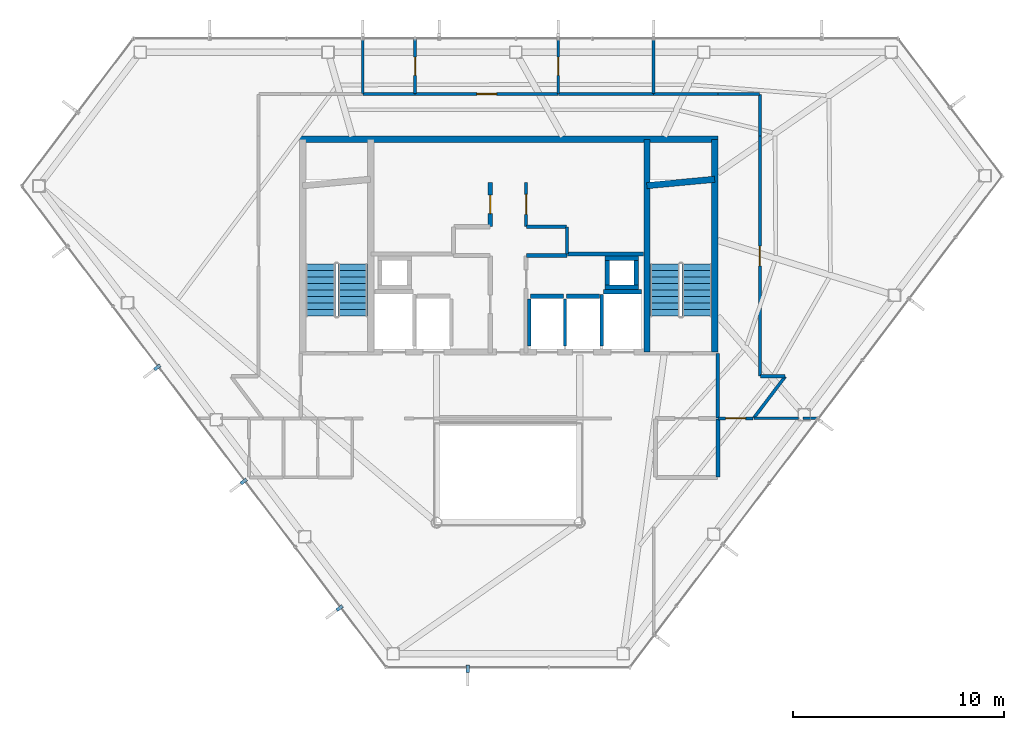
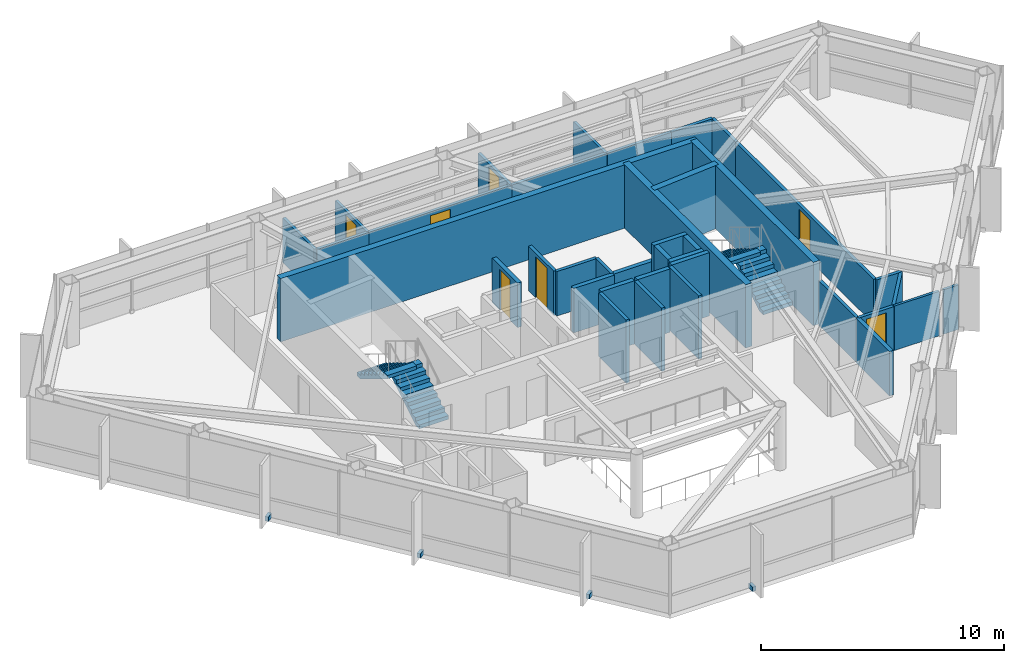
# One storey, part 25 of 27: 38 walls, 7 doors, 4 discrete accessories, 4 stair flights, 7 openings, 2 elements without a shape of their own.
"""IFC4 building model written with IfcOpenShell, lengths in metres."""

from ifc_helpers import new_model, si_unit, direction, frame, frame_2d, origin, origin_2d, place, context, subcontext, project, spatial, polyline, rectangle, outline, extrude, material, layer, layer_set, type_object, element, fill, aggregate, save


model = new_model("IFC4")

# Units and contexts
model_context = context("Model", 3, precision=1e-05, world=origin(), true_north=direction((0.0, 1.0)))
body_context = subcontext(model_context, "Body", "Model", "MODEL_VIEW")
ifc_project = project(units=[si_unit("LENGTHUNIT", "METRE"), si_unit("AREAUNIT", "SQUARE_METRE"), si_unit("VOLUMEUNIT", "CUBIC_METRE"), si_unit("PLANEANGLEUNIT", "RADIAN"), si_unit("MASSUNIT", "GRAM", prefix="KILO")], contexts=[model_context])

# Site, building, storey
site_placement = place(None, origin())
site = spatial("IfcSite", under=ifc_project, at=site_placement, CompositionType="ELEMENT")
building_placement = place(site_placement, origin())
building = spatial("IfcBuilding", under=site, at=building_placement, Name="Zarrinselat Tower", CompositionType="ELEMENT")
storey_placement = place(building_placement, frame((0.0, 0.0, 229.159912109375)))
storey = spatial("IfcBuildingStorey", under=building, at=storey_placement, Name="L57", CompositionType="ELEMENT", Elevation=229.159912109375)

# Wall
ifc_material_1 = material(Name="Concrete C40/50", Category="concrete")
ifc_layer_1 = layer(ifc_material_1, 0.18994140625)
ifc_layer_set_1 = layer_set([ifc_layer_1], Name="Concrete C40/50")
wall_type_1 = type_object("IfcWallType", Name="WAL-PART-EI120", PredefinedType="PARTITIONING", material=ifc_layer_set_1)
wall_1_placement = place(storey_placement, frame((48.35009765625, 27.3701171875, 0.0), z_axis=(0.0, 0.0, 1.0), x_axis=(0.0, 1.0, 0.0)))
element("IfcWall", 1, at=wall_1_placement, inside=storey, type_object=wall_type_1, Name="L57 Partition Wall 22", PredefinedType="PARTITIONING", context=body_context, shape_type="SweptSolid", body=[
    extrude(rectangle(XDim=2.759765625, YDim=0.18994140625, at=frame_2d((1.3798828125, 0.0))), origin(), (0.0, 0.0, 1.0), 2.235107421875),
])

# Wall, opening, door
ifc_material_2 = material(Name="Fire-Rated Gypsum Board Partition", Category="gypsum")
ifc_layer_2 = layer(ifc_material_2, 0.14990234375)
ifc_layer_set_2 = layer_set([ifc_layer_2], Name="Fire-Rated Gypsum Board Partition")
wall_type_2 = type_object("IfcWallType", Name="WAL-PART-EI60", PredefinedType="PARTITIONING", material=ifc_layer_set_2)
wall_2_placement = place(storey_placement, frame((39.25, 39.27001953125, 0.0), z_axis=(0.0, 0.0, 1.0), x_axis=(0.0, 1.0, 0.0)))
wall_2 = element("IfcWall", 2, at=wall_2_placement, inside=storey, type_object=wall_type_2, Name="L57 Partition Wall 8", PredefinedType="PARTITIONING", context=body_context, shape_type="SweptSolid", body=[
    extrude(rectangle(XDim=2.080078125, YDim=0.14990234375, at=frame_2d((1.0400390625, 0.0))), origin(), (0.0, 0.0, 1.0), 2.235107421875),
])
opening_1_placement = place(wall_2_placement, frame((0.570068359375, 0.0, 0.0)))
opening_1 = element("IfcOpeningElement", 3, at=opening_1_placement, cuts=wall_2, Name="Opening ID-04", PredefinedType="OPENING", context=body_context, shape_type="SweptSolid", body=[
    extrude(rectangle(XDim=0.93994140625, YDim=2.050048828125, at=frame_2d((0.469970703125, 1.02490234375))), frame((0.0, 0.0849609375, 0.0), z_axis=(0.0, -1.0, 0.0), x_axis=(1.0, 0.0, 0.0)), (0.0, 0.0, 1.0), 0.169921875),
])
ifc_material_3 = material(Name="Fire-Rated Gypsum Board Partition")
door_type_1 = type_object("IfcDoorType", Name="DR-INT-FD30-ENT", OperationType="NOTDEFINED", PredefinedType="DOOR", material=ifc_material_3)
door_1_placement = place(opening_1_placement, origin())
door_1 = element("IfcDoor", 4, at=door_1_placement, inside=storey, type_object=door_type_1, Name="L57 Interior Door P8", OperationType="SINGLE_SWING_LEFT", OverallHeight=2.050048828125, OverallWidth=0.93994140625, PredefinedType="DOOR", context=body_context, shape_type="SweptSolid", body=[
    extrude(rectangle(XDim=0.93994140625, YDim=2.050048828125, at=frame_2d((0.469970703125, 1.02490234375))), frame((0.0, 0.02490234375, 0.0), z_axis=(0.0, -1.0, 0.0), x_axis=(1.0, 0.0, 0.0)), (0.0, 0.0, 1.0), 0.050048828125),
])
fill(opening_1, door_1)

# Walls
wall_3_placement = place(storey_placement, frame((39.27001953125, 39.25, 0.0), z_axis=(0.0, 0.0, 1.0), x_axis=(1.0, 0.0, 0.0)))
element("IfcWall", 5, at=wall_3_placement, inside=storey, type_object=wall_type_2, Name="L57 Partition Wall 9", PredefinedType="PARTITIONING", context=body_context, shape_type="SweptSolid", body=[
    extrude(rectangle(XDim=1.909912109375, YDim=0.14990234375, at=frame_2d((0.955078125, 0.0))), origin(), (0.0, 0.0, 1.0), 2.235107421875),
])
wall_4_placement = place(storey_placement, frame((41.199951171875, 37.955078125, 0.0), z_axis=(0.0, 0.0, 1.0), x_axis=(0.0, 1.0, 0.0)))
element("IfcWall", 6, at=wall_4_placement, inside=storey, type_object=wall_type_2, Name="L57 Partition Wall 10", PredefinedType="PARTITIONING", context=body_context, shape_type="SweptSolid", body=[
    extrude(rectangle(XDim=1.27490234375, YDim=0.14990234375, at=frame_2d((0.637451171875, 0.0))), origin(), (0.0, 0.0, 1.0), 2.235107421875),
])
wall_5_placement = place(storey_placement, frame((48.35009765625, 30.169921875, 0.0), z_axis=(0.0, 0.0, 1.0), x_axis=(0.0, 1.0, 0.0)))
element("IfcWall", 7, at=wall_5_placement, inside=storey, type_object=wall_type_2, Name="L57 Partition Wall 15", PredefinedType="PARTITIONING", context=body_context, shape_type="SweptSolid", body=[
    extrude(rectangle(XDim=3.06005859375, YDim=0.14990234375, at=frame_2d((1.530029296875, 0.0))), origin(), (0.0, 0.0, 1.0), 2.235107421875),
])

# Wall, opening, door
wall_6_placement = place(storey_placement, frame((48.3701171875, 30.14990234375, 0.0), z_axis=(0.0, 0.0, 1.0), x_axis=(1.0, 0.0, 0.0)))
wall_6 = element("IfcWall", 8, at=wall_6_placement, inside=storey, type_object=wall_type_2, Name="L57 Partition Wall 25", PredefinedType="PARTITIONING", context=body_context, shape_type="SweptSolid", body=[
    extrude(rectangle(XDim=1.6552734375, YDim=0.14990234375, at=frame_2d((0.82763671875, 0.0))), origin(), (0.0, 0.0, 1.0), 2.235107421875),
])
opening_2_placement = place(wall_6_placement, frame((0.357666015625, 0.0, 0.0)))
opening_2 = element("IfcOpeningElement", 9, at=opening_2_placement, cuts=wall_6, Name="Opening ID-04", PredefinedType="OPENING", context=body_context, shape_type="SweptSolid", body=[
    extrude(rectangle(XDim=0.93994140625, YDim=2.050048828125, at=frame_2d((0.469970703125, 1.02490234375))), frame((0.0, 0.0849609375, 0.0), z_axis=(0.0, -1.0, 0.0), x_axis=(1.0, 0.0, 0.0)), (0.0, 0.0, 1.0), 0.169921875),
])
door_2_placement = place(opening_2_placement, origin())
door_2 = element("IfcDoor", 10, at=door_2_placement, inside=storey, type_object=door_type_1, Name="L57 Interior Door P25", OperationType="SINGLE_SWING_RIGHT", OverallHeight=2.050048828125, OverallWidth=0.93994140625, PredefinedType="DOOR", context=body_context, shape_type="SweptSolid", body=[
    extrude(rectangle(XDim=0.93994140625, YDim=2.050048828125, at=frame_2d((0.469970703125, 1.02490234375))), frame((0.0, 0.02490234375, 0.0), z_axis=(0.0, -1.0, 0.0), x_axis=(1.0, 0.0, 0.0)), (0.0, 0.0, 1.0), 0.050048828125),
])
fill(opening_2, door_2)

# Walls
wall_7_placement = place(storey_placement, frame((45.304931640625, 45.550048828125, 0.0), z_axis=(0.0, 0.0, 1.0), x_axis=(1.0, 0.0, 0.0)))
element("IfcWall", 11, at=wall_7_placement, inside=storey, type_object=wall_type_2, Name="L57 Partition Wall 32", PredefinedType="PARTITIONING", context=body_context, shape_type="SweptSolid", body=[
    extrude(rectangle(XDim=3.045166015625, YDim=0.14990234375, at=frame_2d((1.5224609375, 0.0))), origin(), (0.0, 0.0, 1.0), 2.235107421875),
])
for number, where, z_axis, x_axis, name in (
    (12, (48.35009765625, 45.550048828125, 0.0), (0.0, 0.0, 1.0), (1.0, 0.0, 0.0), "L57 Partition Wall 33"),
    (13, (50.35009765625, 43.550048828125, 0.0), (0.0, 0.0, 1.0), (0.0, 1.0, 0.0), "L57 Partition Wall 34"),
):
    element("IfcWall", number, at=place(storey_placement, frame(where, z_axis=z_axis, x_axis=x_axis)), inside=storey, type_object=wall_type_2, Name=name, PredefinedType="PARTITIONING", context=body_context, shape_type="SweptSolid", body=[
        extrude(rectangle(XDim=1.97998046875, YDim=0.14990234375, at=frame_2d((0.989990234375, 0.0))), origin(), (0.0, 0.0, 1.0), 2.235107421875),
    ])

# Wall, opening, door
wall_8_placement = place(storey_placement, frame((50.35009765625, 32.169921875, 0.0), z_axis=(0.0, 0.0, 1.0), x_axis=(0.0, 1.0, 0.0)))
wall_8 = element("IfcWall", 14, at=wall_8_placement, inside=storey, type_object=wall_type_2, Name="L57 Partition Wall 35", PredefinedType="PARTITIONING", context=body_context, shape_type="SweptSolid", body=[
    extrude(rectangle(XDim=11.380126953125, YDim=0.14990234375, at=frame_2d((5.68994140625, 0.0))), origin(), (0.0, 0.0, 1.0), 2.235107421875),
])
opening_3_placement = place(wall_8_placement, frame((5.219970703125, 0.0, 0.0)))
opening_3 = element("IfcOpeningElement", 15, at=opening_3_placement, cuts=wall_8, Name="Opening ID-04", PredefinedType="OPENING", context=body_context, shape_type="SweptSolid", body=[
    extrude(rectangle(XDim=0.93994140625, YDim=2.050048828125, at=frame_2d((0.469970703125, 1.02490234375))), frame((0.0, 0.0849609375, 0.0), z_axis=(0.0, -1.0, 0.0), x_axis=(1.0, 0.0, 0.0)), (0.0, 0.0, 1.0), 0.169921875),
])
door_3_placement = place(opening_3_placement, origin())
door_3 = element("IfcDoor", 16, at=door_3_placement, inside=storey, type_object=door_type_1, Name="L57 Interior Door P35", OperationType="SINGLE_SWING_RIGHT", OverallHeight=2.050048828125, OverallWidth=0.93994140625, PredefinedType="DOOR", context=body_context, shape_type="SweptSolid", body=[
    extrude(rectangle(XDim=0.93994140625, YDim=2.050048828125, at=frame_2d((0.469970703125, 1.02490234375))), frame((0.0, 0.02490234375, 0.0), z_axis=(0.0, -1.0, 0.0), x_axis=(1.0, 0.0, 0.0)), (0.0, 0.0, 1.0), 0.050048828125),
])
fill(opening_3, door_3)

# Walls
wall_9_placement = place(storey_placement, frame((50.3701171875, 32.14990234375, 0.0), z_axis=(0.0, 0.0, 1.0), x_axis=(1.0, 0.0, 0.0)))
element("IfcWall", 17, at=wall_9_placement, inside=storey, type_object=wall_type_2, Name="L57 Partition Wall 36", PredefinedType="PARTITIONING", context=body_context, shape_type="SweptSolid", body=[
    extrude(rectangle(XDim=1.17041015625, YDim=0.14990234375, at=frame_2d((0.585205078125, 0.0))), origin(), (0.0, 0.0, 1.0), 2.235107421875),
])
wall_10_placement = place(storey_placement, frame((50.057373046875, 30.166015625, 0.0), z_axis=(0.0, 0.0, 1.0), x_axis=(0.603869110647, 0.797083494502, 0.0)))
element("IfcWall", 18, at=wall_10_placement, inside=storey, type_object=wall_type_2, Name="L57 Partition Wall 37", PredefinedType="PARTITIONING", context=body_context, shape_type="SweptSolid", body=[
    extrude(rectangle(XDim=2.468994140625, YDim=0.14990234375, at=frame_2d((1.234375, 0.0))), origin(), (0.0, 0.0, 1.0), 2.235107421875),
])

# Wall, opening, door
wall_11_placement = place(storey_placement, frame((33.989013671875, 45.550048828125, 0.0), z_axis=(0.0, 0.0, 1.0), x_axis=(1.0, 0.0, 0.0)))
wall_11 = element("IfcWall", 19, at=wall_11_placement, inside=storey, type_object=wall_type_2, Name="L57 Partition Wall 38", PredefinedType="PARTITIONING", context=body_context, shape_type="SweptSolid", body=[
    extrude(rectangle(XDim=6.779541015625, YDim=0.14990234375, at=frame_2d((3.3896484375, 0.0))), origin(), (0.0, 0.0, 1.0), 2.235107421875),
])
opening_4_placement = place(wall_11_placement, frame((2.919921875, 0.0, 0.0)))
opening_4 = element("IfcOpeningElement", 20, at=opening_4_placement, cuts=wall_11, Name="Opening ID-04", PredefinedType="OPENING", context=body_context, shape_type="SweptSolid", body=[
    extrude(rectangle(XDim=0.93994140625, YDim=2.050048828125, at=frame_2d((0.469970703125, 1.02490234375))), frame((0.0, 0.0849609375, 0.0), z_axis=(0.0, -1.0, 0.0), x_axis=(1.0, 0.0, 0.0)), (0.0, 0.0, 1.0), 0.169921875),
])
door_4_placement = place(opening_4_placement, origin())
door_4 = element("IfcDoor", 21, at=door_4_placement, inside=storey, type_object=door_type_1, Name="L57 Interior Door P38", OperationType="SINGLE_SWING_LEFT", OverallHeight=2.050048828125, OverallWidth=0.93994140625, PredefinedType="DOOR", context=body_context, shape_type="SweptSolid", body=[
    extrude(rectangle(XDim=0.93994140625, YDim=2.050048828125, at=frame_2d((0.469970703125, 1.02490234375))), frame((0.0, 0.02490234375, 0.0), z_axis=(0.0, -1.0, 0.0), x_axis=(1.0, 0.0, 0.0)), (0.0, 0.0, 1.0), 0.050048828125),
])
fill(opening_4, door_4)

# Walls
wall_12_placement = place(storey_placement, frame((40.778564453125, 45.550048828125, 0.0), z_axis=(0.0, 0.0, 1.0), x_axis=(1.0, 0.0, 0.0)))
element("IfcWall", 22, at=wall_12_placement, inside=storey, type_object=wall_type_2, Name="L57 Partition Wall 39", PredefinedType="PARTITIONING", context=body_context, shape_type="SweptSolid", body=[
    extrude(rectangle(XDim=4.516357421875, YDim=0.14990234375, at=frame_2d((2.25830078125, 0.0))), origin(), (0.0, 0.0, 1.0), 2.235107421875),
])
wall_13_placement = place(storey_placement, frame((31.5048828125, 45.550048828125, 0.0), z_axis=(0.0, 0.0, 1.0), x_axis=(1.0, 0.0, 0.0)))
element("IfcWall", 23, at=wall_13_placement, inside=storey, type_object=wall_type_2, Name="L57 Partition Wall 40", PredefinedType="PARTITIONING", context=body_context, shape_type="SweptSolid", body=[
    extrude(rectangle(XDim=2.47412109375, YDim=0.14990234375, at=frame_2d((1.237060546875, 0.0))), origin(), (0.0, 0.0, 1.0), 2.235107421875),
])

# Wall, opening, door
ifc_material_4 = material(Name="Concrete C40/50", Category="concrete")
ifc_layer_3 = layer(ifc_material_4, 0.199951171875)
ifc_layer_set_3 = layer_set([ifc_layer_3], Name="Concrete C40/50")
wall_type_3 = type_object("IfcWallType", Name="WAL-PART-PLANT", PredefinedType="PARTITIONING", material=ifc_layer_set_3)
wall_14_placement = place(storey_placement, frame((37.550048828125, 39.27001953125, 0.0), z_axis=(0.0, 0.0, 1.0), x_axis=(0.0, 1.0, 0.0)))
wall_14 = element("IfcWall", 24, at=wall_14_placement, inside=storey, type_object=wall_type_3, Name="L57 Partition Wall 5", PredefinedType="PARTITIONING", context=body_context, shape_type="SweptSolid", body=[
    extrude(rectangle(XDim=2.080078125, YDim=0.199951171875, at=frame_2d((1.0400390625, 0.0))), origin(), (0.0, 0.0, 1.0), 2.235107421875),
])
opening_5_placement = place(wall_14_placement, frame((0.60009765625, 0.0, 0.0)))
opening_5 = element("IfcOpeningElement", 25, at=opening_5_placement, cuts=wall_14, Name="Opening ID-03", PredefinedType="OPENING", context=body_context, shape_type="SweptSolid", body=[
    extrude(rectangle(XDim=0.8798828125, YDim=2.050048828125, at=frame_2d((0.43994140625, 1.02490234375))), frame((0.0, 0.10986328125, 0.0), z_axis=(0.0, -1.0, 0.0), x_axis=(1.0, 0.0, 0.0)), (0.0, 0.0, 1.0), 0.219970703125),
])
ifc_material_5 = material(Name="Steel S355J2", Category="steel")
door_type_2 = type_object("IfcDoorType", Name="DR-INT-FD60-S", OperationType="NOTDEFINED", PredefinedType="DOOR", material=ifc_material_5)
door_5_placement = place(opening_5_placement, origin())
door_5 = element("IfcDoor", 26, at=door_5_placement, inside=storey, type_object=door_type_2, Name="L57 Interior Door P5", OperationType="SINGLE_SWING_LEFT", OverallHeight=2.050048828125, OverallWidth=0.8798828125, PredefinedType="DOOR", context=body_context, shape_type="SweptSolid", body=[
    extrude(rectangle(XDim=0.8798828125, YDim=2.050048828125, at=frame_2d((0.43994140625, 1.02490234375))), frame((0.0, 0.02490234375, 0.0), z_axis=(0.0, -1.0, 0.0), x_axis=(1.0, 0.0, 0.0)), (0.0, 0.0, 1.0), 0.050048828125),
])
fill(opening_5, door_5)

# Walls
wall_15_placement = place(storey_placement, frame((39.27001953125, 37.8798828125, 0.0), z_axis=(0.0, 0.0, 1.0), x_axis=(1.0, 0.0, 0.0)))
element("IfcWall", 27, at=wall_15_placement, inside=storey, type_object=wall_type_3, Name="L57 Partition Wall 6", PredefinedType="PARTITIONING", context=body_context, shape_type="SweptSolid", body=[
    extrude(rectangle(XDim=1.929931640625, YDim=0.199951171875, at=frame_2d((0.96484375, 0.0))), origin(), (0.0, 0.0, 1.0), 2.235107421875),
])
wall_16_placement = place(storey_placement, frame((41.219970703125, 37.949951171875, 0.0), z_axis=(0.0, 0.0, 1.0), x_axis=(1.0, 0.0, 0.0)))
element("IfcWall", 28, at=wall_16_placement, inside=storey, type_object=wall_type_3, Name="L57 Partition Wall 12", PredefinedType="PARTITIONING", context=body_context, shape_type="SweptSolid", body=[
    extrude(rectangle(XDim=3.614990234375, YDim=0.199951171875, at=frame_2d((1.8076171875, 0.0))), origin(), (0.0, 0.0, 1.0), 2.235107421875),
])
ifc_material_6 = material(Name="Fire-Rated Gypsum Board Partition", Category="gypsum")
ifc_layer_4 = layer(ifc_material_6, 0.1201171875)
ifc_layer_set_4 = layer_set([ifc_layer_4], Name="Fire-Rated Gypsum Board Partition")
wall_type_4 = type_object("IfcWallType", Name="WAL-PART-STD", PredefinedType="PARTITIONING", material=ifc_layer_set_4)
wall_17_placement = place(storey_placement, frame((50.065185546875, 30.14990234375, 0.0), z_axis=(0.0, 0.0, 1.0), x_axis=(1.0, 0.0, 0.0)))
element("IfcWall", 29, at=wall_17_placement, inside=storey, type_object=wall_type_4, Name="L57 Partition Wall 52", PredefinedType="PARTITIONING", context=body_context, shape_type="SweptSolid", body=[
    extrude(rectangle(XDim=2.13134765625, YDim=0.1201171875, at=frame_2d((1.065673828125, 0.0))), origin(), (0.0, 0.0, 1.0), 2.235107421875),
])
wall_18_placement = place(storey_placement, frame((52.403564453125, 30.14990234375, 0.0), z_axis=(0.0, 0.0, 1.0), x_axis=(1.0, 0.0, 0.0)))
element("IfcWall", 30, at=wall_18_placement, inside=storey, type_object=wall_type_4, Name="L57 Partition Wall 53", PredefinedType="PARTITIONING", context=body_context, shape_type="SweptSolid", body=[
    extrude(rectangle(XDim=0.712890625, YDim=0.1201171875, at=frame_2d((0.3564453125, 0.0))), origin(), (0.0, 0.0, 1.0), 2.235107421875),
])
ifc_material_7 = material(Name="Fire-Rated Gypsum Board Partition", Category="gypsum")
ifc_layer_5 = layer(ifc_material_7, 0.135009765625)
ifc_layer_set_5 = layer_set([ifc_layer_5], Name="Fire-Rated Gypsum Board Partition")
wall_type_5 = type_object("IfcWallType", Name="WAL-PART-WET", PredefinedType="PARTITIONING", material=ifc_layer_set_5)
for number, where, z_axis, x_axis, name in (
    (31, (31.5, 45.570068359375, 0.0), (0.0, 0.0, 1.0), (0.0, 1.0, 0.0), "L57 Partition Wall 54"),
    (32, (45.300048828125, 45.570068359375, 0.0), (0.0, 0.0, 1.0), (0.0, 1.0, 0.0), "L57 Partition Wall 55"),
):
    element("IfcWall", number, at=place(storey_placement, frame(where, z_axis=z_axis, x_axis=x_axis)), inside=storey, type_object=wall_type_5, Name=name, PredefinedType="PARTITIONING", context=body_context, shape_type="SweptSolid", body=[
        extrude(rectangle(XDim=2.5927734375, YDim=0.135009765625, at=frame_2d((1.29638671875, 0.0))), origin(), (0.0, 0.0, 1.0), 2.235107421875),
    ])

# Wall, opening, door
wall_19_placement = place(storey_placement, frame((40.773681640625, 45.570068359375, 0.0), z_axis=(0.0, 0.0, 1.0), x_axis=(0.0, 1.0, 0.0)))
wall_19 = element("IfcWall", 33, at=wall_19_placement, inside=storey, type_object=wall_type_5, Name="L57 Partition Wall 56", PredefinedType="PARTITIONING", context=body_context, shape_type="SweptSolid", body=[
    extrude(rectangle(XDim=2.5927734375, YDim=0.135009765625, at=frame_2d((1.29638671875, 0.0))), origin(), (0.0, 0.0, 1.0), 2.235107421875),
])
opening_6_placement = place(wall_19_placement, frame((0.866455078125, 0.0, 0.0)))
opening_6 = element("IfcOpeningElement", 34, at=opening_6_placement, cuts=wall_19, Name="Opening ID-06", PredefinedType="OPENING", context=body_context, shape_type="SweptSolid", body=[
    extrude(rectangle(XDim=0.860107421875, YDim=2.050048828125, at=frame_2d((0.43017578125, 1.02490234375))), frame((0.0, 0.077392578125, 0.0), z_axis=(0.0, -1.0, 0.0), x_axis=(1.0, 0.0, 0.0)), (0.0, 0.0, 1.0), 0.155029296875),
])
ifc_material_8 = material(Name="Extruded Aluminium Alloy EN AW-6063 T6", Category="aluminium")
door_type_3 = type_object("IfcDoorType", Name="DR-INT-WET-900", OperationType="NOTDEFINED", PredefinedType="DOOR", material=ifc_material_8)
door_6_placement = place(opening_6_placement, origin())
door_6 = element("IfcDoor", 35, at=door_6_placement, inside=storey, type_object=door_type_3, Name="L57 Interior Door P56", OperationType="SINGLE_SWING_RIGHT", OverallHeight=2.050048828125, OverallWidth=0.860107421875, PredefinedType="DOOR", context=body_context, shape_type="SweptSolid", body=[
    extrude(rectangle(XDim=0.860107421875, YDim=2.050048828125, at=frame_2d((0.43017578125, 1.02490234375))), frame((0.0, 0.02490234375, 0.0), z_axis=(0.0, -1.0, 0.0), x_axis=(1.0, 0.0, 0.0)), (0.0, 0.0, 1.0), 0.050048828125),
])
fill(opening_6, door_6)

wall_20_placement = place(storey_placement, frame((33.98388671875, 45.570068359375, 0.0), z_axis=(0.0, 0.0, 1.0), x_axis=(0.0, 1.0, 0.0)))
wall_20 = element("IfcWall", 36, at=wall_20_placement, inside=storey, type_object=wall_type_5, Name="L57 Partition Wall 57", PredefinedType="PARTITIONING", context=body_context, shape_type="SweptSolid", body=[
    extrude(rectangle(XDim=2.5927734375, YDim=0.135009765625, at=frame_2d((1.29638671875, 0.0))), origin(), (0.0, 0.0, 1.0), 2.235107421875),
])
opening_7_placement = place(wall_20_placement, frame((0.866455078125, 0.0, 0.0)))
opening_7 = element("IfcOpeningElement", 37, at=opening_7_placement, cuts=wall_20, Name="Opening ID-06", PredefinedType="OPENING", context=body_context, shape_type="SweptSolid", body=[
    extrude(rectangle(XDim=0.860107421875, YDim=2.050048828125, at=frame_2d((0.43017578125, 1.02490234375))), frame((0.0, 0.077392578125, 0.0), z_axis=(0.0, -1.0, 0.0), x_axis=(1.0, 0.0, 0.0)), (0.0, 0.0, 1.0), 0.155029296875),
])
door_7_placement = place(opening_7_placement, origin())
door_7 = element("IfcDoor", 38, at=door_7_placement, inside=storey, type_object=door_type_3, Name="L57 Interior Door P57", OperationType="SINGLE_SWING_LEFT", OverallHeight=2.050048828125, OverallWidth=0.860107421875, PredefinedType="DOOR", context=body_context, shape_type="SweptSolid", body=[
    extrude(rectangle(XDim=0.860107421875, YDim=2.050048828125, at=frame_2d((0.43017578125, 1.02490234375))), frame((0.0, 0.02490234375, 0.0), z_axis=(0.0, -1.0, 0.0), x_axis=(1.0, 0.0, 0.0)), (0.0, 0.0, 1.0), 0.050048828125),
])
fill(opening_7, door_7)

# Walls
ifc_material_9 = material(Name="Concrete C40/50", Category="concrete")
ifc_layer_6 = layer(ifc_material_9, 0.2099609375)
ifc_layer_set_6 = layer_set([ifc_layer_6], Name="Concrete C40/50")
wall_type_6 = type_object("IfcWallType", Name="WAL-SHAFT-210", PredefinedType="SOLIDWALL", material=ifc_layer_set_6)
wall_21_placement = place(storey_placement, frame((42.919921875, 36.155029296875, 0.0), z_axis=(0.0, 0.0, 1.0), x_axis=(1.0, 0.0, 0.0)))
element("IfcWall", 39, at=wall_21_placement, inside=storey, type_object=wall_type_6, Name="L57 Lift FFL2 North Shaft Wall", PredefinedType="SOLIDWALL", context=body_context, shape_type="SweptSolid", body=[
    extrude(rectangle(XDim=1.800048828125, YDim=0.2099609375, at=frame_2d((0.89990234375, 0.0))), origin(), (0.0, 0.0, 1.0), 3.18017578125),
])
wall_22_placement = place(storey_placement, frame((42.85009765625, 33.580078125, 0.0), z_axis=(0.0, 0.0, 1.0), x_axis=(0.0, 1.0, 0.0)))
element("IfcWall", 40, at=wall_22_placement, inside=storey, type_object=wall_type_6, Name="L57 Lift FFL2 W Shaft Wall", PredefinedType="SOLIDWALL", context=body_context, shape_type="SweptSolid", body=[
    extrude(rectangle(XDim=2.449951171875, YDim=0.159912109375, at=frame_2d((1.22509765625, 0.0))), origin(), (0.0, 0.0, 1.0), 3.18017578125),
])
wall_23_placement = place(storey_placement, frame((39.469970703125, 35.955078125, 0.0), z_axis=(0.0, 0.0, 1.0), x_axis=(1.0, 0.0, 0.0)))
element("IfcWall", 41, at=wall_23_placement, inside=storey, type_object=wall_type_6, Name="L57 Lift PL8 North Shaft Wall", PredefinedType="SOLIDWALL", context=body_context, shape_type="SweptSolid", body=[
    extrude(rectangle(XDim=1.56005859375, YDim=0.2099609375, at=frame_2d((0.780029296875, 0.0))), origin(), (0.0, 0.0, 1.0), 3.18017578125),
])
for number, where, z_axis, x_axis, name in (
    (42, (39.39990234375, 33.580078125, 0.0), (0.0, 0.0, 1.0), (0.0, 1.0, 0.0), "L57 Lift PL8 W Shaft Wall"),
    (43, (41.10009765625, 33.580078125, 0.0), (0.0, 0.0, 1.0), (0.0, 1.0, 0.0), "L57 Lift PL8 E Shaft Wall"),
):
    element("IfcWall", number, at=place(storey_placement, frame(where, z_axis=z_axis, x_axis=x_axis)), inside=storey, type_object=wall_type_6, Name=name, PredefinedType="SOLIDWALL", context=body_context, shape_type="SweptSolid", body=[
        extrude(rectangle(XDim=2.25, YDim=0.159912109375, at=frame_2d((1.125, 0.0))), origin(), (0.0, 0.0, 1.0), 3.18017578125),
    ])
wall_24_placement = place(storey_placement, frame((41.169921875, 35.955078125, 0.0), z_axis=(0.0, 0.0, 1.0), x_axis=(1.0, 0.0, 0.0)))
element("IfcWall", 44, at=wall_24_placement, inside=storey, type_object=wall_type_6, Name="L57 Lift PL9 North Shaft Wall", PredefinedType="SOLIDWALL", context=body_context, shape_type="SweptSolid", body=[
    extrude(rectangle(XDim=1.56005859375, YDim=0.2099609375, at=frame_2d((0.780029296875, 0.0))), origin(), (0.0, 0.0, 1.0), 3.18017578125),
])
for number, where, z_axis, x_axis, name in (
    (45, (42.989990234375, 36.375, 0.0), (0.0, 0.0, 1.0), (1.0, 0.0, 0.0), "L57 Core Riser RSR-E S Shaft Wall"),
    (46, (42.989990234375, 37.7451171875, 0.0), (0.0, 0.0, 1.0), (1.0, 0.0, 0.0), "L57 Core Riser RSR-E N Shaft Wall"),
):
    element("IfcWall", number, at=place(storey_placement, frame(where, z_axis=z_axis, x_axis=x_axis)), inside=storey, type_object=wall_type_6, Name=name, PredefinedType="SOLIDWALL", context=body_context, shape_type="SweptSolid", body=[
        extrude(rectangle(XDim=1.60009765625, YDim=0.2099609375, at=frame_2d((0.800048828125, 0.0))), origin(), (0.0, 0.0, 1.0), 3.18017578125),
    ])
for number, where, z_axis, x_axis, name in (
    (47, (43.094970703125, 36.485107421875, 0.0), (0.0, 0.0, 1.0), (0.0, 1.0, 0.0), "L57 Core Riser RSR-E W Shaft Wall"),
    (48, (44.485107421875, 36.485107421875, 0.0), (0.0, 0.0, 1.0), (0.0, 1.0, 0.0), "L57 Core Riser RSR-E E Shaft Wall"),
):
    element("IfcWall", number, at=place(storey_placement, frame(where, z_axis=z_axis, x_axis=x_axis)), inside=storey, type_object=wall_type_6, Name=name, PredefinedType="SOLIDWALL", context=body_context, shape_type="SweptSolid", body=[
        extrude(rectangle(XDim=1.14990234375, YDim=0.2099609375, at=frame_2d((0.574951171875, 0.0))), origin(), (0.0, 0.0, 1.0), 3.18017578125),
    ])
ifc_material_10 = material(Name="Concrete C40/50", Category="concrete")
ifc_layer_7 = layer(ifc_material_10, 0.300048828125)
ifc_layer_set_7 = layer_set([ifc_layer_7], Name="Concrete C40/50")
wall_type_7 = type_object("IfcWallType", Name="WAL-SHEAR-300", PredefinedType="SHEAR", material=ifc_layer_set_7)
wall_25_placement = place(storey_placement, frame((28.5, 43.39990234375, 0.0), z_axis=(0.0, 0.0, 1.0), x_axis=(1.0, 0.0, 0.0)))
element("IfcWall", 49, at=wall_25_placement, inside=storey, type_object=wall_type_7, Name="L57 North Core Shear Wall", PredefinedType="SHEAR", context=body_context, shape_type="SweptSolid", body=[
    extrude(rectangle(XDim=19.860107421875, YDim=0.300048828125, at=frame_2d((9.93017578125, 0.0))), origin(), (0.0, 0.0, 1.0), 3.18017578125),
])
for number, where, z_axis, x_axis, name in (
    (50, (44.989990234375, 33.300048828125, 0.0), (0.0, 0.0, 1.0), (0.0, 1.0, 0.0), "L57 Core Shear Wall ST2W"),
    (51, (48.2099609375, 33.300048828125, 0.0), (0.0, 0.0, 1.0), (0.0, 1.0, 0.0), "L57 Core Shear Wall E"),
):
    element("IfcWall", number, at=place(storey_placement, frame(where, z_axis=z_axis, x_axis=x_axis)), inside=storey, type_object=wall_type_7, Name=name, PredefinedType="SHEAR", context=body_context, shape_type="SweptSolid", body=[
        extrude(rectangle(XDim=10.099853515625, YDim=0.300048828125, at=frame_2d((5.0498046875, 0.0))), origin(), (0.0, 0.0, 1.0), 3.18017578125),
    ])
wall_26_placement = place(storey_placement, frame((44.97998046875, 41.199951171875, 0.0), z_axis=(0.0, 0.0, 1.0), x_axis=(0.995686468965, 0.09278176286, 0.0)))
element("IfcWall", 52, at=wall_26_placement, inside=storey, type_object=wall_type_7, Name="L57 Stair 2 North Shaft Wall", PredefinedType="SHEAR", context=body_context, shape_type="SweptSolid", body=[
    extrude(rectangle(XDim=3.23388671875, YDim=0.300048828125, at=frame_2d((1.616943359375, 0.0))), origin(), (0.0, 0.0, 1.0), 3.18017578125),
])

# Stair, stair flights
ifc_material_11 = material(Name="Concrete C40/50", Category="concrete")
stair_type = type_object("IfcStairType", Name="STR-CORE-155", PredefinedType="HALF_TURN_STAIR", material=ifc_material_11)
stair_1_placement = place(storey_placement, origin())
stair_1 = element("IfcStair", 53, at=stair_1_placement, inside=storey, type_object=stair_type, Name="L57 Core Exit Stair 1", PredefinedType="HALF_TURN_STAIR")
ifc_material_12 = material(Name="Concrete C40/50", Category="concrete")
stair_flight_type = type_object("IfcStairFlightType", Name="STR-FLT-155", PredefinedType="STRAIGHT", material=ifc_material_12)
stair_flight_1_placement = place(storey_placement, frame((31.02001953125, 35.0, 0.0), z_axis=(0.0, 0.0, 1.0), x_axis=(0.0, 1.0, 0.0)))
stair_flight_1 = element("IfcStairFlight", 54, at=stair_flight_1_placement, type_object=stair_flight_type, Name="ST-1 flight 1", NumberOfRisers=9, NumberOfTreads=8, PredefinedType="STRAIGHT", RiserHeight=0.188888889, TreadLength=0.31, context=body_context, shape_type="SweptSolid", body=[
    extrude(outline(polyline([(0.0, 0.0), (0.0, 0.18896484375), (0.31005859375, 0.18896484375), (0.31005859375, 0.377685546875), (0.6201171875, 0.377685546875), (0.6201171875, 0.566650390625), (0.929931640625, 0.566650390625), (0.929931640625, 0.755615234375), (1.239990234375, 0.755615234375), (1.239990234375, 0.9443359375), (1.550048828125, 0.9443359375), (1.550048828125, 1.13330078125), (1.860107421875, 1.13330078125), (1.860107421875, 1.322265625), (2.169921875, 1.322265625), (2.169921875, 1.51123046875), (2.47998046875, 1.51123046875), (2.47998046875, 1.699951171875), (2.47998046875, 1.335693359375), (0.2880859375, 0.0), (0.0, 0.0)])), frame((0.0, 0.699951171875, 0.0), z_axis=(0.0, -1.0, 0.0), x_axis=(1.0, 0.0, 0.0)), (0.0, 0.0, 1.0), 1.39990234375),
])
stair_flight_2_placement = place(storey_placement, frame((29.5, 37.47998046875, 1.7001953125), z_axis=(0.0, 0.0, 1.0), x_axis=(0.0, -1.0, 0.0)))
stair_flight_2 = element("IfcStairFlight", 55, at=stair_flight_2_placement, type_object=stair_flight_type, Name="ST-1 flight 2", NumberOfRisers=9, NumberOfTreads=8, PredefinedType="STRAIGHT", RiserHeight=0.188888889, TreadLength=0.31, context=body_context, shape_type="SweptSolid", body=[
    extrude(outline(polyline([(0.0, 0.0), (0.0, 0.18896484375), (0.31005859375, 0.18896484375), (0.31005859375, 0.377685546875), (0.6201171875, 0.377685546875), (0.6201171875, 0.566650390625), (0.929931640625, 0.566650390625), (0.929931640625, 0.755615234375), (1.239990234375, 0.755615234375), (1.239990234375, 0.9443359375), (1.550048828125, 0.9443359375), (1.550048828125, 1.13330078125), (1.860107421875, 1.13330078125), (1.860107421875, 1.322265625), (2.169921875, 1.322265625), (2.169921875, 1.51123046875), (2.47998046875, 1.51123046875), (2.47998046875, 1.699951171875), (2.47998046875, 1.335693359375), (0.2880859375, 0.0), (0.0, 0.0)])), frame((0.0, 0.699951171875, 0.0), z_axis=(0.0, -1.0, 0.0), x_axis=(1.0, 0.0, 0.0)), (0.0, 0.0, 1.0), 1.39990234375),
])
aggregate(stair_1, [stair_flight_1, stair_flight_2])

stair_2_placement = place(storey_placement, origin())
stair_2 = element("IfcStair", 56, at=stair_2_placement, inside=storey, type_object=stair_type, Name="L57 Core Exit Stair 2", PredefinedType="HALF_TURN_STAIR")
stair_flight_3_placement = place(storey_placement, frame((47.360107421875, 35.0, 0.0), z_axis=(0.0, 0.0, 1.0), x_axis=(0.0, 1.0, 0.0)))
stair_flight_3 = element("IfcStairFlight", 57, at=stair_flight_3_placement, type_object=stair_flight_type, Name="ST-2 flight 1", NumberOfRisers=9, NumberOfTreads=8, PredefinedType="STRAIGHT", RiserHeight=0.188888889, TreadLength=0.31, context=body_context, shape_type="SweptSolid", body=[
    extrude(outline(polyline([(0.0, 0.0), (0.0, 0.18896484375), (0.31005859375, 0.18896484375), (0.31005859375, 0.377685546875), (0.6201171875, 0.377685546875), (0.6201171875, 0.566650390625), (0.929931640625, 0.566650390625), (0.929931640625, 0.755615234375), (1.239990234375, 0.755615234375), (1.239990234375, 0.9443359375), (1.550048828125, 0.9443359375), (1.550048828125, 1.13330078125), (1.860107421875, 1.13330078125), (1.860107421875, 1.322265625), (2.169921875, 1.322265625), (2.169921875, 1.51123046875), (2.47998046875, 1.51123046875), (2.47998046875, 1.699951171875), (2.47998046875, 1.335693359375), (0.2880859375, 0.0), (0.0, 0.0)])), frame((0.0, 0.699951171875, 0.0), z_axis=(0.0, -1.0, 0.0), x_axis=(1.0, 0.0, 0.0)), (0.0, 0.0, 1.0), 1.39990234375),
])
stair_flight_4_placement = place(storey_placement, frame((45.840087890625, 37.47998046875, 1.7001953125), z_axis=(0.0, 0.0, 1.0), x_axis=(0.0, -1.0, 0.0)))
stair_flight_4 = element("IfcStairFlight", 58, at=stair_flight_4_placement, type_object=stair_flight_type, Name="ST-2 flight 2", NumberOfRisers=9, NumberOfTreads=8, PredefinedType="STRAIGHT", RiserHeight=0.188888889, TreadLength=0.31, context=body_context, shape_type="SweptSolid", body=[
    extrude(outline(polyline([(0.0, 0.0), (0.0, 0.18896484375), (0.31005859375, 0.18896484375), (0.31005859375, 0.377685546875), (0.6201171875, 0.377685546875), (0.6201171875, 0.566650390625), (0.929931640625, 0.566650390625), (0.929931640625, 0.755615234375), (1.239990234375, 0.755615234375), (1.239990234375, 0.9443359375), (1.550048828125, 0.9443359375), (1.550048828125, 1.13330078125), (1.860107421875, 1.13330078125), (1.860107421875, 1.322265625), (2.169921875, 1.322265625), (2.169921875, 1.51123046875), (2.47998046875, 1.51123046875), (2.47998046875, 1.699951171875), (2.47998046875, 1.335693359375), (0.2880859375, 0.0), (0.0, 0.0)])), frame((0.0, 0.699951171875, 0.0), z_axis=(0.0, -1.0, 0.0), x_axis=(1.0, 0.0, 0.0)), (0.0, 0.0, 1.0), 1.39990234375),
])
aggregate(stair_2, [stair_flight_3, stair_flight_4])

# Discrete accessories
ifc_material_13 = material(Name="Steel S355J2", Category="steel")
discrete_accessory_type = type_object("IfcDiscreteAccessoryType", Name="ACC-FIN-BRACKET", PredefinedType="BRACKET", material=ifc_material_13)
for number, where, z_axis, x_axis, name in (
    (59, (21.746337890625, 32.5712890625, -0.0498046875), (0.0, 0.0, 1.0), (-0.7970923517, -0.603857419315, 0.0), "L57 Fin Fixing Bracket CW-L57-E03-03"),
    (60, (25.84716796875, 27.158203125, -0.0498046875), (0.0, 0.0, 1.0), (-0.7970923517, -0.603857419315, 0.0), "L57 Fin Fixing Bracket CW-L57-E03-05"),
    (61, (30.400634765625, 21.147705078125, -0.0498046875), (0.0, 0.0, 1.0), (-0.7970923517, -0.603857419315, 0.0), "L57 Fin Fixing Bracket CW-L57-E03-07"),
    (62, (36.473388671875, 18.263916015625, -0.0498046875), (0.0, 0.0, 1.0), (0.0, -1.0, 0.0), "L57 Fin Fixing Bracket CW-L57-E04-01"),
):
    element("IfcDiscreteAccessory", number, at=place(storey_placement, frame(where, z_axis=z_axis, x_axis=x_axis)), inside=storey, type_object=discrete_accessory_type, Name=name, PredefinedType="BRACKET", context=body_context, shape_type="SweptSolid", body=[
        extrude(rectangle(XDim=0.340087890625, YDim=0.159912109375, at=origin_2d()), origin(), (0.0, 0.0, 1.0), 0.219970703125),
    ])

save(model, "model.ifc")
